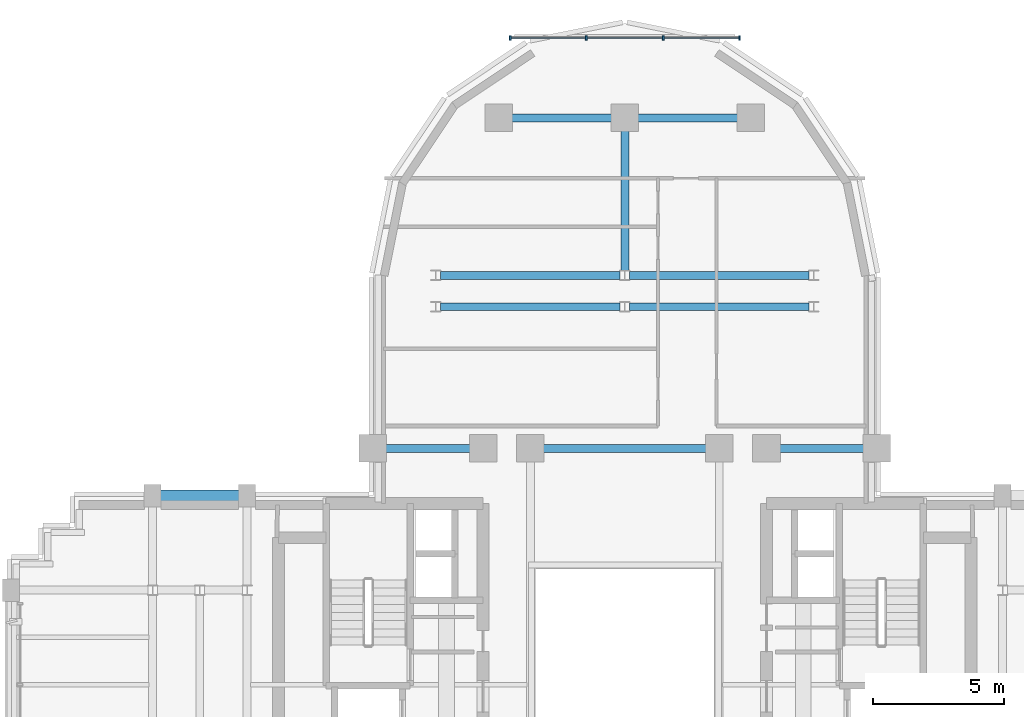
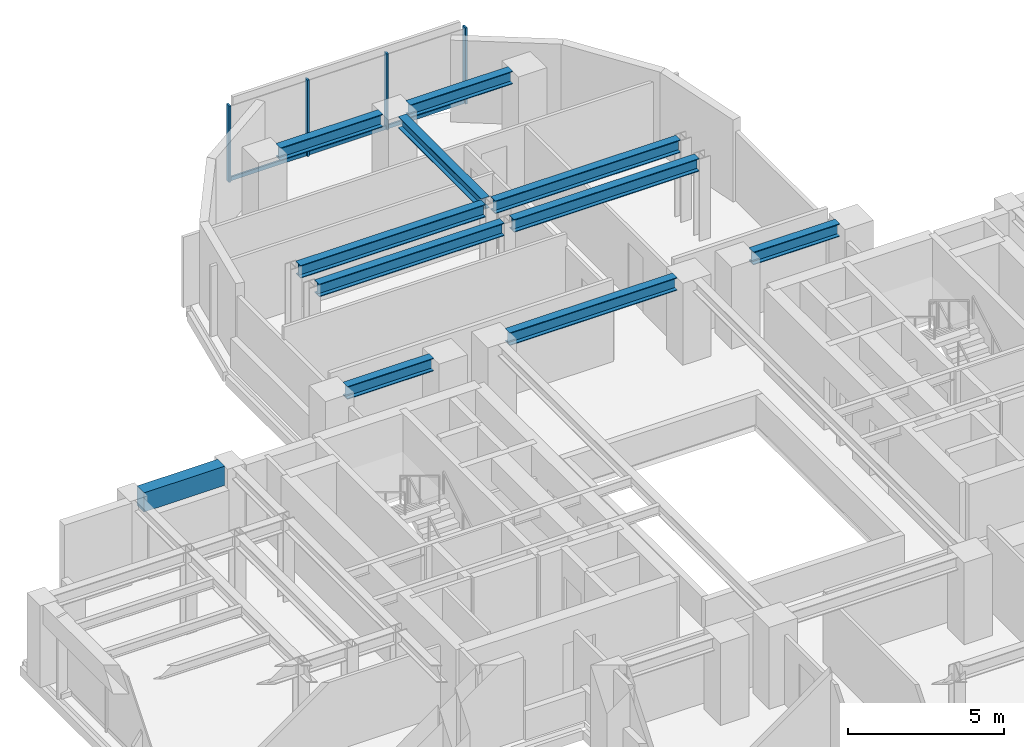
# One storey, part 6 of 14: 11 beams, 7 members, 1 element without a shape of its own.
"""IFC4 building model written with IfcOpenShell, lengths in metres."""

from ifc_helpers import new_model, si_unit, direction, frame, origin, origin_2d, place, context, subcontext, project, spatial, rectangle, i_section, extrude, source, transform, mapped, material, material_profile, profile_set, type_object, element, aggregate, save


model = new_model("IFC4")

# Units and contexts
model_context = context("Model", 3, precision=1e-05, world=origin(), true_north=direction((0.0, 1.0)))
body_context = subcontext(model_context, "Body", "Model", "MODEL_VIEW")
ifc_project = project(units=[si_unit("LENGTHUNIT", "METRE"), si_unit("AREAUNIT", "SQUARE_METRE"), si_unit("VOLUMEUNIT", "CUBIC_METRE"), si_unit("PLANEANGLEUNIT", "RADIAN"), si_unit("MASSUNIT", "GRAM", prefix="KILO")], contexts=[model_context])

# Site, building, storey
site_placement = place(None, origin())
site = spatial("IfcSite", under=ifc_project, at=site_placement, CompositionType="ELEMENT")
building_placement = place(site_placement, origin())
building = spatial("IfcBuilding", under=site, at=building_placement, Name="Keilestroom Media Tower", CompositionType="ELEMENT")
storey_placement = place(building_placement, frame((0.0, 0.0, 127.800048828125)))
storey = spatial("IfcBuildingStorey", under=building, at=storey_placement, Name="L34", CompositionType="ELEMENT", Elevation=127.800048828125)

# Beams
ifc_material_1 = material(Name="Steel S355", Category="steel")
ifc_material_profile_1 = material_profile(ifc_material_1, i_section(OverallWidth=0.300048828125, OverallDepth=0.5, WebThickness=0.012451171875, FlangeThickness=0.028076171875, at=origin_2d()), Name="HEB 500")
ifc_profile_set_1 = profile_set([ifc_material_profile_1], Name="Steel S355")
beam_type_1 = type_object("IfcBeamType", Name="Primary-Structural-Girder-HEB-500", PredefinedType="BEAM", material=ifc_profile_set_1)
shared_shape_1 = source(origin(), body_context, "Body", "SweptSolid", [
    extrude(i_section(OverallWidth=0.300048828125, OverallDepth=0.5, WebThickness=0.012451171875, FlangeThickness=0.028076171875, at=origin_2d()), origin(), (0.0, 0.0, 1.0), 3.7900390625),
])
for number, where, z_axis, x_axis, name in (
    (1, (-4.294921875, 21.60009765625, 2.949951171875), (1.0, 0.0, 0.0), (0.0, 1.0, 0.0), "L34 Beam BG-6 BM-L34-EW-037"),
    (2, (0.5048828125, 21.60009765625, 2.949951171875), (1.0, 0.0, 0.0), (0.0, 1.0, 0.0), "L34 Beam BG-6 BM-L34-EW-038"),
):
    element("IfcBeam", number, at=place(storey_placement, frame(where, z_axis=z_axis, x_axis=x_axis)), inside=storey, type_object=beam_type_1, Name=name, PredefinedType="BEAM", context=body_context, shape_type="MappedRepresentation", body=[
        mapped(shared_shape_1, transform((0.0, 0.0, 0.0), x_axis=(1.0, 0.0, 0.0), y_axis=(0.0, 1.0, 0.0), z_axis=(0.0, 0.0, 1.0), scale=1.0)),
    ])
shared_shape_2 = source(origin(), body_context, "Body", "SweptSolid", [
    extrude(i_section(OverallWidth=0.300048828125, OverallDepth=0.5, WebThickness=0.012451171875, FlangeThickness=0.028076171875, at=origin_2d()), origin(), (0.0, 0.0, 1.0), 6.839111328125),
])
for number, where, z_axis, x_axis, name in (
    (3, (-7.01953125, 14.39990234375, 2.949951171875), (1.0, 0.0, 0.0), (0.0, 1.0, 0.0), "L34 Beam BG-6 BM-L34-EW-033"),
    (4, (0.180419921875, 14.39990234375, 2.949951171875), (1.0, 0.0, 0.0), (0.0, 1.0, 0.0), "L34 Beam BG-6 BM-L34-EW-034"),
    (5, (-7.01953125, 15.60009765625, 2.949951171875), (1.0, 0.0, 0.0), (0.0, 1.0, 0.0), "L34 Beam BG-6 BM-L34-EW-035"),
    (6, (0.180419921875, 15.60009765625, 2.949951171875), (1.0, 0.0, 0.0), (0.0, 1.0, 0.0), "L34 Beam BG-6 BM-L34-EW-036"),
):
    element("IfcBeam", number, at=place(storey_placement, frame(where, z_axis=z_axis, x_axis=x_axis)), inside=storey, type_object=beam_type_1, Name=name, PredefinedType="BEAM", context=body_context, shape_type="MappedRepresentation", body=[
        mapped(shared_shape_2, transform((0.0, 0.0, 0.0), x_axis=(1.0, 0.0, 0.0), y_axis=(0.0, 1.0, 0.0), z_axis=(0.0, 0.0, 1.0), scale=1.0)),
    ])
shared_shape_3 = source(origin(), body_context, "Body", "SweptSolid", [
    extrude(i_section(OverallWidth=0.300048828125, OverallDepth=0.5, WebThickness=0.012451171875, FlangeThickness=0.028076171875, at=origin_2d()), origin(), (0.0, 0.0, 1.0), 3.18994140625),
])
for number, where, z_axis, x_axis, name in (
    (7, (-9.094970703125, 9.0, 2.949951171875), (1.0, 0.0, 0.0), (0.0, 1.0, 0.0), "L34 Beam BG-6 BM-L34-EW-028"),
    (8, (5.905029296875, 9.0, 2.949951171875), (1.0, 0.0, 0.0), (0.0, 1.0, 0.0), "L34 Beam BG-6 BM-L34-EW-032"),
):
    element("IfcBeam", number, at=place(storey_placement, frame(where, z_axis=z_axis, x_axis=x_axis)), inside=storey, type_object=beam_type_1, Name=name, PredefinedType="BEAM", context=body_context, shape_type="MappedRepresentation", body=[
        mapped(shared_shape_3, transform((0.0, 0.0, 0.0), x_axis=(1.0, 0.0, 0.0), y_axis=(0.0, 1.0, 0.0), z_axis=(0.0, 0.0, 1.0), scale=1.0)),
    ])
shared_shape_4 = source(origin(), body_context, "Body", "SweptSolid", [
    extrude(i_section(OverallWidth=0.300048828125, OverallDepth=0.5, WebThickness=0.012451171875, FlangeThickness=0.028076171875, at=origin_2d()), origin(), (0.0, 0.0, 1.0), 6.18994140625),
])
beam_1_placement = place(storey_placement, frame((-3.094970703125, 9.0, 2.949951171875), z_axis=(1.0, 0.0, 0.0), x_axis=(0.0, 1.0, 0.0)))
element("IfcBeam", 9, at=beam_1_placement, inside=storey, type_object=beam_type_1, Name="L34 Beam BG-6 BM-L34-EW-030", PredefinedType="BEAM", context=body_context, shape_type="MappedRepresentation", body=[
    mapped(shared_shape_4, transform((0.0, 0.0, 0.0), x_axis=(1.0, 0.0, 0.0), y_axis=(0.0, 1.0, 0.0), z_axis=(0.0, 0.0, 1.0), scale=1.0)),
])
ifc_material_2 = material(Name="Precast concrete C40/50", Category="concrete")
ifc_material_profile_2 = material_profile(ifc_material_2, rectangle(XDim=0.449951171875, YDim=0.75, at=origin_2d()), Name="PC 450x750")
ifc_profile_set_2 = profile_set([ifc_material_profile_2], Name="Precast concrete C40/50")
beam_type_2 = type_object("IfcBeamType", Name="Perimeter-Spandrel-Beam-PC-450x750", PredefinedType="SPANDREL", material=ifc_profile_set_2)
shared_shape_5 = source(origin(), body_context, "Body", "SweptSolid", [
    extrude(rectangle(XDim=0.449951171875, YDim=0.75, at=origin_2d()), origin(), (0.0, 0.0, 1.0), 2.989990234375),
])
beam_2_placement = place(storey_placement, frame((-17.695068359375, 7.199951171875, 2.824951171875), z_axis=(1.0, 0.0, 0.0), x_axis=(0.0, 1.0, 0.0)))
element("IfcBeam", 10, at=beam_2_placement, inside=storey, type_object=beam_type_2, Name="L34 Beam SPB-1 BM-L34-EW-026", PredefinedType="SPANDREL", context=body_context, shape_type="MappedRepresentation", body=[
    mapped(shared_shape_5, transform((0.0, 0.0, 0.0), x_axis=(1.0, 0.0, 0.0), y_axis=(0.0, 1.0, 0.0), z_axis=(0.0, 0.0, 1.0), scale=1.0)),
])
ifc_material_profile_3 = material_profile(ifc_material_1, i_section(OverallWidth=0.300048828125, OverallDepth=0.449951171875, WebThickness=0.011962890625, FlangeThickness=0.02587890625, at=origin_2d()), Name="HEB 450")
ifc_profile_set_3 = profile_set([ifc_material_profile_3], Name="Steel S355")
beam_type_3 = type_object("IfcBeamType", Name="Primary-Structural-Girder-HEB-450", PredefinedType="BEAM", material=ifc_profile_set_3)
shared_shape_6 = source(origin(), body_context, "Body", "SweptSolid", [
    extrude(i_section(OverallWidth=0.300048828125, OverallDepth=0.449951171875, WebThickness=0.011962890625, FlangeThickness=0.02587890625, at=origin_2d()), origin(), (0.0, 0.0, 1.0), 5.3154296875),
])
beam_3_placement = place(storey_placement, frame((0.0, 15.779541015625, 2.974853515625), z_axis=(0.0, 1.0, 0.0), x_axis=(-1.0, 0.0, 0.0)))
element("IfcBeam", 11, at=beam_3_placement, inside=storey, type_object=beam_type_3, Name="L34 Beam BG-7 BM-L34-NS-055", PredefinedType="BEAM", context=body_context, shape_type="MappedRepresentation", body=[
    mapped(shared_shape_6, transform((0.0, 0.0, 0.0), x_axis=(1.0, 0.0, 0.0), y_axis=(0.0, 1.0, 0.0), z_axis=(0.0, 0.0, 1.0), scale=1.0)),
])

# Curtain wall, members
ifc_material_3 = material(Name="Anodised Aluminium Alloy", Category="aluminium")
curtain_wall_type = type_object("IfcCurtainWallType", Name="Unitised-Curtain-Wall-CW-6", PredefinedType="NOTDEFINED", material=ifc_material_3)
curtain_wall_placement = place(storey_placement, origin())
curtain_wall = element("IfcCurtainWall", 12, at=curtain_wall_placement, inside=storey, type_object=curtain_wall_type, Name="L34 Curtain Wall CW-6 CW-L34-LN-1", PredefinedType="NOTDEFINED")
ifc_material_profile_4 = material_profile(ifc_material_3, rectangle(XDim=0.06494140625, YDim=0.179931640625, at=origin_2d()), Name="ALU MULLION 65x180")
ifc_profile_set_4 = profile_set([ifc_material_profile_4], Name="Anodised Aluminium Alloy")
member_type_1 = type_object("IfcMemberType", Name="Curtain-Wall-Mullion-CW-6", PredefinedType="MULLION", material=ifc_profile_set_4)
shared_shape_7 = source(origin(), body_context, "Body", "SweptSolid", [
    extrude(rectangle(XDim=0.06494140625, YDim=0.179931640625, at=origin_2d()), origin(), (0.0, 0.0, 1.0), 2.97998046875),
])
member_1_placement = place(storey_placement, frame((-4.367431640625, 24.64990234375, 0.0), z_axis=(0.0, 0.0, 1.0), x_axis=(1.0, 0.0, 0.0)))
member_1 = element("IfcMember", 13, at=member_1_placement, type_object=member_type_1, Name="CW-6 Mullion 00", PredefinedType="MULLION", context=body_context, shape_type="MappedRepresentation", body=[
    mapped(shared_shape_7, transform((0.0, 0.0, 0.0), x_axis=(1.0, 0.0, 0.0), y_axis=(0.0, 1.0, 0.0), z_axis=(0.0, 0.0, 1.0), scale=1.0)),
])
member_2_placement = place(storey_placement, frame((-1.466796875, 24.64990234375, 0.0), z_axis=(0.0, 0.0, 1.0), x_axis=(1.0, 0.0, 0.0)))
member_2 = element("IfcMember", 14, at=member_2_placement, type_object=member_type_1, Name="CW-6 Mullion 01", PredefinedType="MULLION", context=body_context, shape_type="MappedRepresentation", body=[
    mapped(shared_shape_7, transform((0.0, 0.0, 0.0), x_axis=(1.0, 0.0, 0.0), y_axis=(0.0, 1.0, 0.0), z_axis=(0.0, 0.0, 1.0), scale=1.0)),
])
member_3_placement = place(storey_placement, frame((1.466796875, 24.64990234375, 0.0), z_axis=(0.0, 0.0, 1.0), x_axis=(1.0, 0.0, 0.0)))
member_3 = element("IfcMember", 15, at=member_3_placement, type_object=member_type_1, Name="CW-6 Mullion 02", PredefinedType="MULLION", context=body_context, shape_type="MappedRepresentation", body=[
    mapped(shared_shape_7, transform((0.0, 0.0, 0.0), x_axis=(1.0, 0.0, 0.0), y_axis=(0.0, 1.0, 0.0), z_axis=(0.0, 0.0, 1.0), scale=1.0)),
])
member_4_placement = place(storey_placement, frame((4.367431640625, 24.64990234375, 0.0), z_axis=(0.0, 0.0, 1.0), x_axis=(1.0, 0.0, 0.0)))
member_4 = element("IfcMember", 16, at=member_4_placement, type_object=member_type_1, Name="CW-6 Mullion 03", PredefinedType="MULLION", context=body_context, shape_type="MappedRepresentation", body=[
    mapped(shared_shape_7, transform((0.0, 0.0, 0.0), x_axis=(1.0, 0.0, 0.0), y_axis=(0.0, 1.0, 0.0), z_axis=(0.0, 0.0, 1.0), scale=1.0)),
])
ifc_material_profile_5 = material_profile(ifc_material_3, rectangle(XDim=0.06494140625, YDim=0.14990234375, at=origin_2d()), Name="ALU TRANSOM 65x150")
ifc_profile_set_5 = profile_set([ifc_material_profile_5], Name="Anodised Aluminium Alloy")
member_type_2 = type_object("IfcMemberType", Name="Curtain-Wall-Transom-CW-6", PredefinedType="USERDEFINED", material=ifc_profile_set_5)
shared_shape_8 = source(origin(), body_context, "Body", "SweptSolid", [
    extrude(rectangle(XDim=0.06494140625, YDim=0.14990234375, at=origin_2d()), origin(), (0.0, 0.0, 1.0), 2.839599609375),
])
member_5_placement = place(storey_placement, frame((-4.3369140625, 24.64990234375, 0.074951171875), z_axis=(1.0, 0.0, 0.0), x_axis=(0.0, 1.0, 0.0)))
member_5 = element("IfcMember", 17, at=member_5_placement, type_object=member_type_2, Name="CW-6 Transom 00.1", ObjectType="TRANSOM", PredefinedType="USERDEFINED", context=body_context, shape_type="MappedRepresentation", body=[
    mapped(shared_shape_8, transform((0.0, 0.0, 0.0), x_axis=(1.0, 0.0, 0.0), y_axis=(0.0, 1.0, 0.0), z_axis=(0.0, 0.0, 1.0), scale=1.0)),
])
member_6_placement = place(storey_placement, frame((1.497314453125, 24.64990234375, 0.074951171875), z_axis=(1.0, 0.0, 0.0), x_axis=(0.0, 1.0, 0.0)))
member_6 = element("IfcMember", 18, at=member_6_placement, type_object=member_type_2, Name="CW-6 Transom 02.1", ObjectType="TRANSOM", PredefinedType="USERDEFINED", context=body_context, shape_type="MappedRepresentation", body=[
    mapped(shared_shape_8, transform((0.0, 0.0, 0.0), x_axis=(1.0, 0.0, 0.0), y_axis=(0.0, 1.0, 0.0), z_axis=(0.0, 0.0, 1.0), scale=1.0)),
])
shared_shape_9 = source(origin(), body_context, "Body", "SweptSolid", [
    extrude(rectangle(XDim=0.06494140625, YDim=0.14990234375, at=origin_2d()), origin(), (0.0, 0.0, 1.0), 2.87255859375),
])
member_7_placement = place(storey_placement, frame((-1.436279296875, 24.64990234375, 0.074951171875), z_axis=(1.0, 0.0, 0.0), x_axis=(0.0, 1.0, 0.0)))
member_7 = element("IfcMember", 19, at=member_7_placement, type_object=member_type_2, Name="CW-6 Transom 01.1", ObjectType="TRANSOM", PredefinedType="USERDEFINED", context=body_context, shape_type="MappedRepresentation", body=[
    mapped(shared_shape_9, transform((0.0, 0.0, 0.0), x_axis=(1.0, 0.0, 0.0), y_axis=(0.0, 1.0, 0.0), z_axis=(0.0, 0.0, 1.0), scale=1.0)),
])
aggregate(curtain_wall, [member_1, member_2, member_3, member_4, member_5, member_7, member_6])

save(model, "model.ifc")
